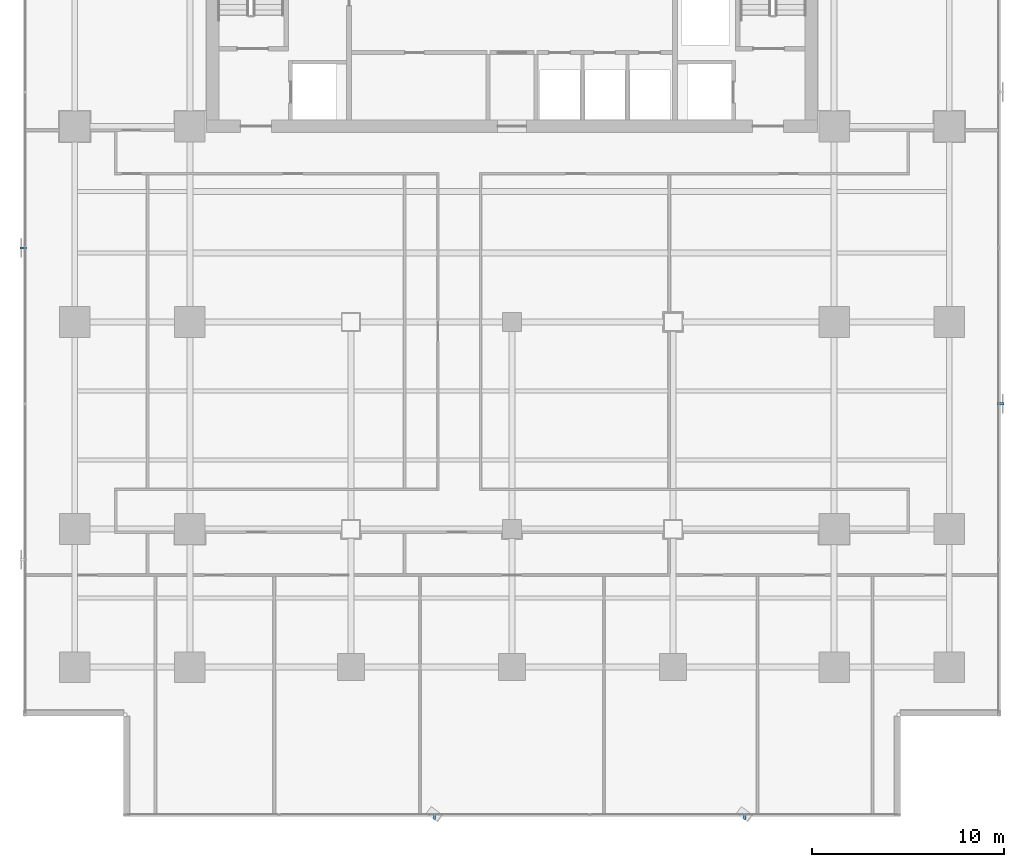
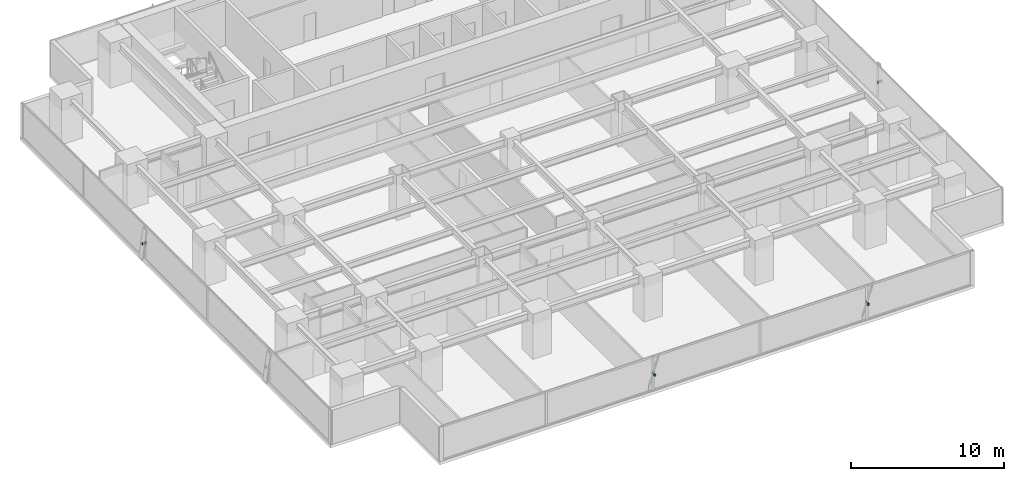
# One storey, part 31 of 37: 4 discrete accessories.
"""IFC4 building model written with IfcOpenShell, lengths in metres."""

from ifc_helpers import new_model, si_unit, direction, frame, origin, origin_2d, place, context, subcontext, project, spatial, rectangle, extrude, source, transform, mapped, material, material_profile, profile_set, type_object, element, save


model = new_model("IFC4")

# Units and contexts
model_context = context("Model", 3, precision=1e-05, world=origin(), true_north=direction((0.0, 1.0)))
body_context = subcontext(model_context, "Body", "Model", "MODEL_VIEW")
ifc_project = project(units=[si_unit("LENGTHUNIT", "METRE"), si_unit("AREAUNIT", "SQUARE_METRE"), si_unit("VOLUMEUNIT", "CUBIC_METRE"), si_unit("PLANEANGLEUNIT", "RADIAN"), si_unit("MASSUNIT", "GRAM", prefix="KILO")], contexts=[model_context])

# Site, building, storey
site_placement = place(None, origin())
site = spatial("IfcSite", under=ifc_project, at=site_placement, CompositionType="ELEMENT")
building_placement = place(site_placement, origin())
building = spatial("IfcBuilding", under=site, at=building_placement, Name="Sumidabori Civic Tower", CompositionType="ELEMENT")
storey_placement = place(building_placement, frame((0.0, 0.0, 88.39990234375)))
storey = spatial("IfcBuildingStorey", under=building, at=storey_placement, Name="L22", CompositionType="ELEMENT", Elevation=88.39990234375)

# Discrete accessories
ifc_material = material(Name="Stainless Steel Hairline Finish", Category="steel")
ifc_material_profile = material_profile(ifc_material, rectangle(XDim=0.1201171875, YDim=0.179931640625, at=origin_2d()), Name="STEEL BRACKET 180x120")
ifc_profile_set = profile_set([ifc_material_profile], Name="Stainless Steel Hairline Finish")
discrete_accessory_type = type_object("IfcDiscreteAccessoryType", Name="AC-BRK-180", PredefinedType="BRACKET", material=ifc_profile_set)
shared_shape_1 = source(origin(), body_context, "Body", "SweptSolid", [
    extrude(rectangle(XDim=0.1201171875, YDim=0.179931640625, at=origin_2d()), origin(), (0.0, 0.0, 1.0), 0.329833984375),
])
for number, where, z_axis, x_axis, name in (
    (1, (25.330078125, -4.263916015625, 1.360107421875), (1.0, 0.0, 0.0), (0.0, 1.0, 0.0), "Bronze Fin Fixing Bracket L22-02"),
    (2, (-25.330078125, 3.864013671875, 1.360107421875), (-1.0, 0.0, 0.0), (0.0, -1.0, 0.0), "Bronze Fin Fixing Bracket L22-02"),
):
    element("IfcDiscreteAccessory", number, at=place(storey_placement, frame(where, z_axis=z_axis, x_axis=x_axis)), inside=storey, type_object=discrete_accessory_type, Name=name, PredefinedType="BRACKET", context=body_context, shape_type="MappedRepresentation", body=[
        mapped(shared_shape_1, transform((0.0, 0.0, 0.0), x_axis=(1.0, 0.0, 0.0), y_axis=(0.0, 1.0, 0.0), z_axis=(0.0, 0.0, 1.0), scale=1.0)),
    ])
shared_shape_2 = source(origin(), body_context, "Body", "SweptSolid", [
    extrude(rectangle(XDim=0.1201171875, YDim=0.179931640625, at=origin_2d()), origin(), (0.0, 0.0, 1.0), 0.330078125),
])
for number, where, z_axis, x_axis, name in (
    (3, (-4.0439453125, -25.6298828125, 1.360107421875), (0.0, -1.0, 0.0), (1.0, 0.0, 0.0), "Bronze Fin Fixing Bracket L22-02"),
    (4, (12.132080078125, -25.6298828125, 1.360107421875), (0.0, -1.0, 0.0), (1.0, 0.0, 0.0), "Bronze Fin Fixing Bracket L22-04"),
):
    element("IfcDiscreteAccessory", number, at=place(storey_placement, frame(where, z_axis=z_axis, x_axis=x_axis)), inside=storey, type_object=discrete_accessory_type, Name=name, PredefinedType="BRACKET", context=body_context, shape_type="MappedRepresentation", body=[
        mapped(shared_shape_2, transform((0.0, 0.0, 0.0), x_axis=(1.0, 0.0, 0.0), y_axis=(0.0, 1.0, 0.0), z_axis=(0.0, 0.0, 1.0), scale=1.0)),
    ])

save(model, "model.ifc")
